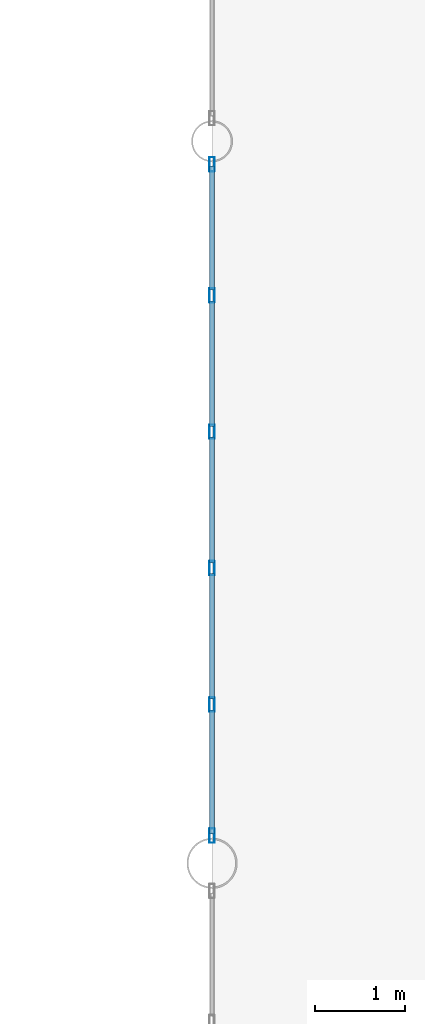
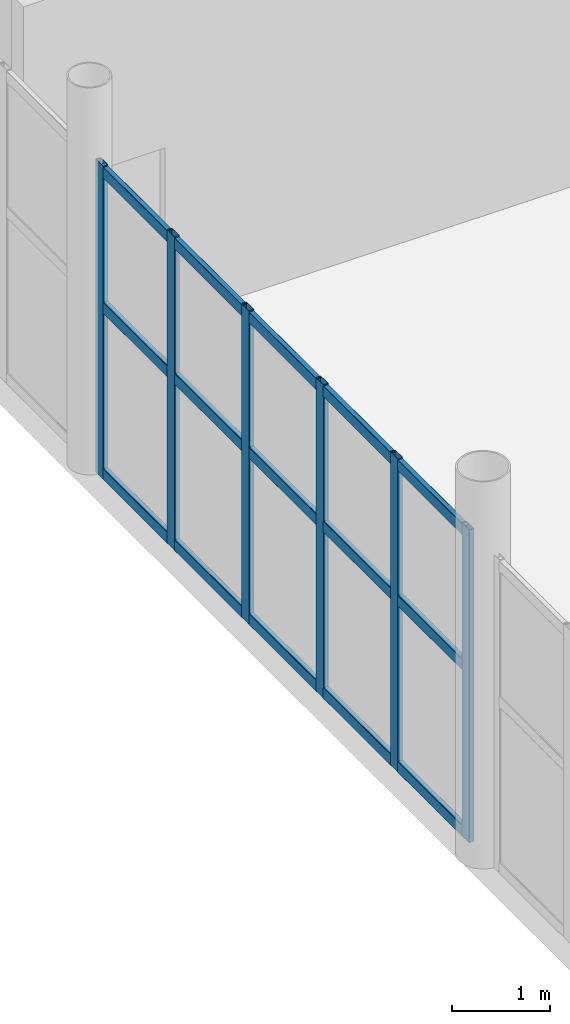
# One storey, part 71 of 178: 21 members, 1 element without a shape of its own.
"""IFC4 building model written with IfcOpenShell, lengths in metres."""

from ifc_helpers import new_model, si_unit, derived_unit, direction, frame, origin, origin_2d, place, context, subcontext, project, spatial, hollow_rectangle, extrude, material, material_profile, profile_set, type_object, element, aggregate, save


model = new_model("IFC4")

# Units and contexts
model_context = context("Model", 3, precision=1e-05, world=origin(), true_north=direction((0.0, 1.0)))
body_context = subcontext(model_context, "Body", "Model", "MODEL_VIEW")
ifc_project = project(units=[si_unit("LENGTHUNIT", "METRE"), si_unit("AREAUNIT", "SQUARE_METRE"), si_unit("VOLUMEUNIT", "CUBIC_METRE"), si_unit("PLANEANGLEUNIT", "RADIAN"), si_unit("MASSUNIT", "GRAM", prefix="KILO"), derived_unit("THERMALTRANSMITTANCEUNIT", [(si_unit("MASSUNIT", "GRAM", prefix="KILO"), 1), (si_unit("TIMEUNIT", "SECOND"), -3), (si_unit("THERMODYNAMICTEMPERATUREUNIT", "KELVIN"), -1)])], contexts=[model_context])

# Site, building, storey
site_placement = place(None, origin())
site = spatial("IfcSite", under=ifc_project, at=site_placement, CompositionType="ELEMENT")
building_placement = place(site_placement, origin())
building = spatial("IfcBuilding", under=site, at=building_placement, Name="Zhenchuan Archway Interchange", CompositionType="ELEMENT")
storey_placement = place(building_placement, frame((0.0, 0.0, 5.39990234375)))
storey = spatial("IfcBuildingStorey", under=building, at=storey_placement, Name="L01", CompositionType="ELEMENT", Elevation=5.39990234375)

# Curtain wall, members
ifc_material = material(Name="Anodised Aluminium", Category="aluminium")
curtain_wall_type = type_object("IfcCurtainWallType", Name="CW_UNIT_4", PredefinedType="NOTDEFINED", material=ifc_material)
curtain_wall_placement = place(storey_placement, origin())
curtain_wall = element("IfcCurtainWall", 1, at=curtain_wall_placement, inside=storey, type_object=curtain_wall_type, Name="Unitised curtain wall CW:L01:035", PredefinedType="NOTDEFINED")
ifc_material_profile_1 = material_profile(ifc_material, hollow_rectangle(XDim=0.06005859375, YDim=0.159912109375, WallThickness=0.00390625, InnerFilletRadius=0.00390625, OuterFilletRadius=0.008056640625, at=origin_2d()), Name="ALU 160x60x4")
ifc_profile_set_1 = profile_set([ifc_material_profile_1], Name="Anodised Aluminium")
member_type_1 = type_object("IfcMemberType", Name="CW_MUL_150", PredefinedType="MULLION", material=ifc_profile_set_1)
member_1_placement = place(storey_placement, frame((18.0, 72.306396484375, 0.0), z_axis=(0.0, 0.0, 1.0), x_axis=(1.0, 0.0, 0.0)))
member_1 = element("IfcMember", 2, at=member_1_placement, type_object=member_type_1, Name="CW:L01:035 mullion 0", PredefinedType="MULLION", context=body_context, shape_type="SweptSolid", body=[
    extrude(hollow_rectangle(XDim=0.06005859375, YDim=0.159912109375, WallThickness=0.00390625, InnerFilletRadius=0.00390625, OuterFilletRadius=0.008056640625, at=origin_2d()), origin(), (0.0, 0.0, 1.0), 3.880126953125),
])
member_2_placement = place(storey_placement, frame((18.0, 73.758056640625, 0.0), z_axis=(0.0, 0.0, 1.0), x_axis=(1.0, 0.0, 0.0)))
member_2 = element("IfcMember", 3, at=member_2_placement, type_object=member_type_1, Name="CW:L01:035 mullion 1", PredefinedType="MULLION", context=body_context, shape_type="SweptSolid", body=[
    extrude(hollow_rectangle(XDim=0.06005859375, YDim=0.159912109375, WallThickness=0.00390625, InnerFilletRadius=0.00390625, OuterFilletRadius=0.008056640625, at=origin_2d()), origin(), (0.0, 0.0, 1.0), 3.880126953125),
])
member_3_placement = place(storey_placement, frame((18.0, 75.269775390625, 0.0), z_axis=(0.0, 0.0, 1.0), x_axis=(1.0, 0.0, 0.0)))
member_3 = element("IfcMember", 4, at=member_3_placement, type_object=member_type_1, Name="CW:L01:035 mullion 2", PredefinedType="MULLION", context=body_context, shape_type="SweptSolid", body=[
    extrude(hollow_rectangle(XDim=0.06005859375, YDim=0.159912109375, WallThickness=0.00390625, InnerFilletRadius=0.00390625, OuterFilletRadius=0.008056640625, at=origin_2d()), origin(), (0.0, 0.0, 1.0), 3.880126953125),
])
member_4_placement = place(storey_placement, frame((18.0, 76.78125, 0.0), z_axis=(0.0, 0.0, 1.0), x_axis=(1.0, 0.0, 0.0)))
member_4 = element("IfcMember", 5, at=member_4_placement, type_object=member_type_1, Name="CW:L01:035 mullion 3", PredefinedType="MULLION", context=body_context, shape_type="SweptSolid", body=[
    extrude(hollow_rectangle(XDim=0.06005859375, YDim=0.159912109375, WallThickness=0.00390625, InnerFilletRadius=0.00390625, OuterFilletRadius=0.008056640625, at=origin_2d()), origin(), (0.0, 0.0, 1.0), 3.880126953125),
])
member_5_placement = place(storey_placement, frame((18.0, 78.29296875, 0.0), z_axis=(0.0, 0.0, 1.0), x_axis=(1.0, 0.0, 0.0)))
member_5 = element("IfcMember", 6, at=member_5_placement, type_object=member_type_1, Name="CW:L01:035 mullion 4", PredefinedType="MULLION", context=body_context, shape_type="SweptSolid", body=[
    extrude(hollow_rectangle(XDim=0.06005859375, YDim=0.159912109375, WallThickness=0.00390625, InnerFilletRadius=0.00390625, OuterFilletRadius=0.008056640625, at=origin_2d()), origin(), (0.0, 0.0, 1.0), 3.880126953125),
])
member_6_placement = place(storey_placement, frame((18.0, 79.744384765625, 0.0), z_axis=(0.0, 0.0, 1.0), x_axis=(1.0, 0.0, 0.0)))
member_6 = element("IfcMember", 7, at=member_6_placement, type_object=member_type_1, Name="CW:L01:035 mullion 5", PredefinedType="MULLION", context=body_context, shape_type="SweptSolid", body=[
    extrude(hollow_rectangle(XDim=0.06005859375, YDim=0.159912109375, WallThickness=0.00390625, InnerFilletRadius=0.00390625, OuterFilletRadius=0.008056640625, at=origin_2d()), origin(), (0.0, 0.0, 1.0), 3.880126953125),
])
ifc_material_profile_2 = material_profile(ifc_material, hollow_rectangle(XDim=0.06005859375, YDim=0.139892578125, WallThickness=0.00341796875, InnerFilletRadius=0.00341796875, OuterFilletRadius=0.007080078125, at=origin_2d()), Name="ALU 140x60x3.5")
ifc_profile_set_2 = profile_set([ifc_material_profile_2], Name="Anodised Aluminium")
member_type_2 = type_object("IfcMemberType", Name="CW_TRN_140", PredefinedType="USERDEFINED", material=ifc_profile_set_2)
member_7_placement = place(storey_placement, frame((18.0, 72.326416015625, 0.06005859375), z_axis=(0.0, 1.0, 0.0), x_axis=(-1.0, 0.0, 0.0)))
member_7 = element("IfcMember", 8, at=member_7_placement, type_object=member_type_2, Name="CW:L01:035 transom 0-1", ObjectType="TRANSOM", PredefinedType="USERDEFINED", context=body_context, shape_type="SweptSolid", body=[
    extrude(hollow_rectangle(XDim=0.06005859375, YDim=0.139892578125, WallThickness=0.00341796875, InnerFilletRadius=0.00341796875, OuterFilletRadius=0.007080078125, at=origin_2d()), origin(), (0.0, 0.0, 1.0), 1.37158203125),
])
member_8_placement = place(storey_placement, frame((18.0, 72.326416015625, 2.123046875), z_axis=(0.0, 1.0, 0.0), x_axis=(-1.0, 0.0, 0.0)))
member_8 = element("IfcMember", 9, at=member_8_placement, type_object=member_type_2, Name="CW:L01:035 transom 0-2", ObjectType="TRANSOM", PredefinedType="USERDEFINED", context=body_context, shape_type="SweptSolid", body=[
    extrude(hollow_rectangle(XDim=0.06005859375, YDim=0.139892578125, WallThickness=0.00341796875, InnerFilletRadius=0.00341796875, OuterFilletRadius=0.007080078125, at=origin_2d()), origin(), (0.0, 0.0, 1.0), 1.37158203125),
])
member_9_placement = place(storey_placement, frame((18.0, 72.326416015625, 3.800048828125), z_axis=(0.0, 1.0, 0.0), x_axis=(-1.0, 0.0, 0.0)))
member_9 = element("IfcMember", 10, at=member_9_placement, type_object=member_type_2, Name="CW:L01:035 transom 0-3", ObjectType="TRANSOM", PredefinedType="USERDEFINED", context=body_context, shape_type="SweptSolid", body=[
    extrude(hollow_rectangle(XDim=0.06005859375, YDim=0.139892578125, WallThickness=0.00341796875, InnerFilletRadius=0.00341796875, OuterFilletRadius=0.007080078125, at=origin_2d()), origin(), (0.0, 0.0, 1.0), 1.37158203125),
])
member_10_placement = place(storey_placement, frame((18.0, 73.818115234375, 0.06005859375), z_axis=(0.0, 1.0, 0.0), x_axis=(-1.0, 0.0, 0.0)))
member_10 = element("IfcMember", 11, at=member_10_placement, type_object=member_type_2, Name="CW:L01:035 transom 1-1", ObjectType="TRANSOM", PredefinedType="USERDEFINED", context=body_context, shape_type="SweptSolid", body=[
    extrude(hollow_rectangle(XDim=0.06005859375, YDim=0.139892578125, WallThickness=0.00341796875, InnerFilletRadius=0.00341796875, OuterFilletRadius=0.007080078125, at=origin_2d()), origin(), (0.0, 0.0, 1.0), 1.3916015625),
])
member_11_placement = place(storey_placement, frame((18.0, 73.818115234375, 2.123046875), z_axis=(0.0, 1.0, 0.0), x_axis=(-1.0, 0.0, 0.0)))
member_11 = element("IfcMember", 12, at=member_11_placement, type_object=member_type_2, Name="CW:L01:035 transom 1-2", ObjectType="TRANSOM", PredefinedType="USERDEFINED", context=body_context, shape_type="SweptSolid", body=[
    extrude(hollow_rectangle(XDim=0.06005859375, YDim=0.139892578125, WallThickness=0.00341796875, InnerFilletRadius=0.00341796875, OuterFilletRadius=0.007080078125, at=origin_2d()), origin(), (0.0, 0.0, 1.0), 1.3916015625),
])
member_12_placement = place(storey_placement, frame((18.0, 73.818115234375, 3.800048828125), z_axis=(0.0, 1.0, 0.0), x_axis=(-1.0, 0.0, 0.0)))
member_12 = element("IfcMember", 13, at=member_12_placement, type_object=member_type_2, Name="CW:L01:035 transom 1-3", ObjectType="TRANSOM", PredefinedType="USERDEFINED", context=body_context, shape_type="SweptSolid", body=[
    extrude(hollow_rectangle(XDim=0.06005859375, YDim=0.139892578125, WallThickness=0.00341796875, InnerFilletRadius=0.00341796875, OuterFilletRadius=0.007080078125, at=origin_2d()), origin(), (0.0, 0.0, 1.0), 1.3916015625),
])
member_13_placement = place(storey_placement, frame((18.0, 75.32958984375, 0.06005859375), z_axis=(0.0, 1.0, 0.0), x_axis=(-1.0, 0.0, 0.0)))
member_13 = element("IfcMember", 14, at=member_13_placement, type_object=member_type_2, Name="CW:L01:035 transom 2-1", ObjectType="TRANSOM", PredefinedType="USERDEFINED", context=body_context, shape_type="SweptSolid", body=[
    extrude(hollow_rectangle(XDim=0.06005859375, YDim=0.139892578125, WallThickness=0.00341796875, InnerFilletRadius=0.00341796875, OuterFilletRadius=0.007080078125, at=origin_2d()), origin(), (0.0, 0.0, 1.0), 1.3916015625),
])
member_14_placement = place(storey_placement, frame((18.0, 75.32958984375, 2.123046875), z_axis=(0.0, 1.0, 0.0), x_axis=(-1.0, 0.0, 0.0)))
member_14 = element("IfcMember", 15, at=member_14_placement, type_object=member_type_2, Name="CW:L01:035 transom 2-2", ObjectType="TRANSOM", PredefinedType="USERDEFINED", context=body_context, shape_type="SweptSolid", body=[
    extrude(hollow_rectangle(XDim=0.06005859375, YDim=0.139892578125, WallThickness=0.00341796875, InnerFilletRadius=0.00341796875, OuterFilletRadius=0.007080078125, at=origin_2d()), origin(), (0.0, 0.0, 1.0), 1.3916015625),
])
member_15_placement = place(storey_placement, frame((18.0, 75.32958984375, 3.800048828125), z_axis=(0.0, 1.0, 0.0), x_axis=(-1.0, 0.0, 0.0)))
member_15 = element("IfcMember", 16, at=member_15_placement, type_object=member_type_2, Name="CW:L01:035 transom 2-3", ObjectType="TRANSOM", PredefinedType="USERDEFINED", context=body_context, shape_type="SweptSolid", body=[
    extrude(hollow_rectangle(XDim=0.06005859375, YDim=0.139892578125, WallThickness=0.00341796875, InnerFilletRadius=0.00341796875, OuterFilletRadius=0.007080078125, at=origin_2d()), origin(), (0.0, 0.0, 1.0), 1.3916015625),
])
member_16_placement = place(storey_placement, frame((18.0, 76.84130859375, 0.06005859375), z_axis=(0.0, 1.0, 0.0), x_axis=(-1.0, 0.0, 0.0)))
member_16 = element("IfcMember", 17, at=member_16_placement, type_object=member_type_2, Name="CW:L01:035 transom 3-1", ObjectType="TRANSOM", PredefinedType="USERDEFINED", context=body_context, shape_type="SweptSolid", body=[
    extrude(hollow_rectangle(XDim=0.06005859375, YDim=0.139892578125, WallThickness=0.00341796875, InnerFilletRadius=0.00341796875, OuterFilletRadius=0.007080078125, at=origin_2d()), origin(), (0.0, 0.0, 1.0), 1.3916015625),
])
member_17_placement = place(storey_placement, frame((18.0, 76.84130859375, 2.123046875), z_axis=(0.0, 1.0, 0.0), x_axis=(-1.0, 0.0, 0.0)))
member_17 = element("IfcMember", 18, at=member_17_placement, type_object=member_type_2, Name="CW:L01:035 transom 3-2", ObjectType="TRANSOM", PredefinedType="USERDEFINED", context=body_context, shape_type="SweptSolid", body=[
    extrude(hollow_rectangle(XDim=0.06005859375, YDim=0.139892578125, WallThickness=0.00341796875, InnerFilletRadius=0.00341796875, OuterFilletRadius=0.007080078125, at=origin_2d()), origin(), (0.0, 0.0, 1.0), 1.3916015625),
])
member_18_placement = place(storey_placement, frame((18.0, 76.84130859375, 3.800048828125), z_axis=(0.0, 1.0, 0.0), x_axis=(-1.0, 0.0, 0.0)))
member_18 = element("IfcMember", 19, at=member_18_placement, type_object=member_type_2, Name="CW:L01:035 transom 3-3", ObjectType="TRANSOM", PredefinedType="USERDEFINED", context=body_context, shape_type="SweptSolid", body=[
    extrude(hollow_rectangle(XDim=0.06005859375, YDim=0.139892578125, WallThickness=0.00341796875, InnerFilletRadius=0.00341796875, OuterFilletRadius=0.007080078125, at=origin_2d()), origin(), (0.0, 0.0, 1.0), 1.3916015625),
])
member_19_placement = place(storey_placement, frame((18.0, 78.352783203125, 0.06005859375), z_axis=(0.0, 1.0, 0.0), x_axis=(-1.0, 0.0, 0.0)))
member_19 = element("IfcMember", 20, at=member_19_placement, type_object=member_type_2, Name="CW:L01:035 transom 4-1", ObjectType="TRANSOM", PredefinedType="USERDEFINED", context=body_context, shape_type="SweptSolid", body=[
    extrude(hollow_rectangle(XDim=0.06005859375, YDim=0.139892578125, WallThickness=0.00341796875, InnerFilletRadius=0.00341796875, OuterFilletRadius=0.007080078125, at=origin_2d()), origin(), (0.0, 0.0, 1.0), 1.371826171875),
])
member_20_placement = place(storey_placement, frame((18.0, 78.352783203125, 2.123046875), z_axis=(0.0, 1.0, 0.0), x_axis=(-1.0, 0.0, 0.0)))
member_20 = element("IfcMember", 21, at=member_20_placement, type_object=member_type_2, Name="CW:L01:035 transom 4-2", ObjectType="TRANSOM", PredefinedType="USERDEFINED", context=body_context, shape_type="SweptSolid", body=[
    extrude(hollow_rectangle(XDim=0.06005859375, YDim=0.139892578125, WallThickness=0.00341796875, InnerFilletRadius=0.00341796875, OuterFilletRadius=0.007080078125, at=origin_2d()), origin(), (0.0, 0.0, 1.0), 1.371826171875),
])
member_21_placement = place(storey_placement, frame((18.0, 78.352783203125, 3.800048828125), z_axis=(0.0, 1.0, 0.0), x_axis=(-1.0, 0.0, 0.0)))
member_21 = element("IfcMember", 22, at=member_21_placement, type_object=member_type_2, Name="CW:L01:035 transom 4-3", ObjectType="TRANSOM", PredefinedType="USERDEFINED", context=body_context, shape_type="SweptSolid", body=[
    extrude(hollow_rectangle(XDim=0.06005859375, YDim=0.139892578125, WallThickness=0.00341796875, InnerFilletRadius=0.00341796875, OuterFilletRadius=0.007080078125, at=origin_2d()), origin(), (0.0, 0.0, 1.0), 1.371826171875),
])
aggregate(curtain_wall, [member_1, member_2, member_3, member_4, member_5, member_6, member_7, member_8, member_9, member_10, member_11, member_12, member_13, member_14, member_15, member_16, member_17, member_18, member_19, member_20, member_21])

save(model, "model.ifc")
